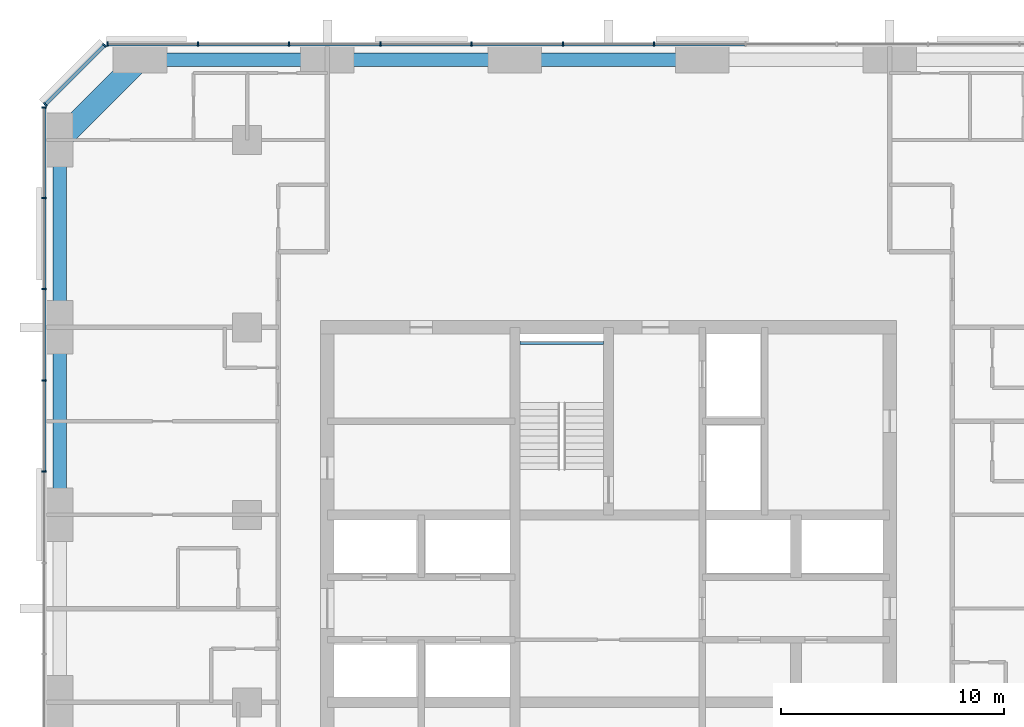
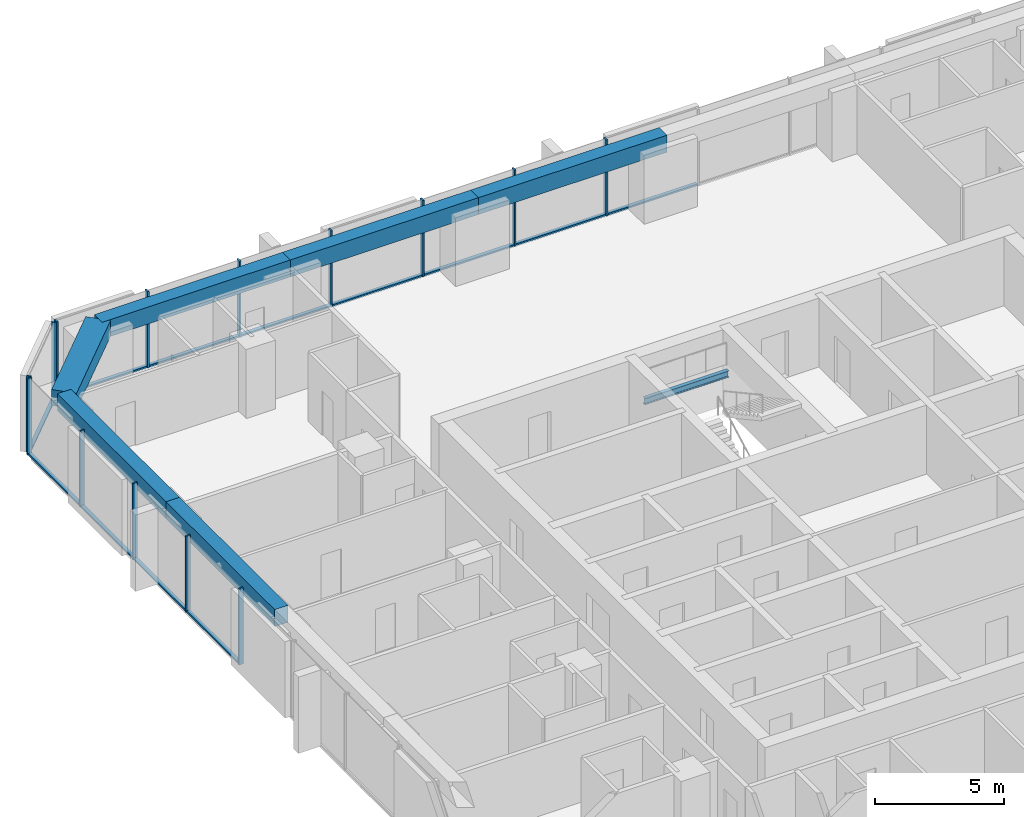
# One storey, part 5 of 13: 26 members, 7 beams, 3 elements without a shape of their own.
"""IFC4 building model written with IfcOpenShell, lengths in metres."""

from ifc_helpers import new_model, si_unit, direction, frame, origin, origin_2d, place, context, subcontext, project, spatial, rectangle, i_section, extrude, material, material_profile, profile_set, type_object, element, aggregate, save


model = new_model("IFC4")

# Units and contexts
model_context = context("Model", 3, precision=1e-05, world=origin(), true_north=direction((0.0, 1.0)))
body_context = subcontext(model_context, "Body", "Model", "MODEL_VIEW")
ifc_project = project(units=[si_unit("LENGTHUNIT", "METRE"), si_unit("AREAUNIT", "SQUARE_METRE"), si_unit("VOLUMEUNIT", "CUBIC_METRE"), si_unit("PLANEANGLEUNIT", "RADIAN"), si_unit("MASSUNIT", "GRAM", prefix="KILO")], contexts=[model_context])

# Site, building, storey
site_placement = place(None, origin())
site = spatial("IfcSite", under=ifc_project, at=site_placement, CompositionType="ELEMENT")
building_placement = place(site_placement, origin())
building = spatial("IfcBuilding", under=site, at=building_placement, Name="Dunama Terrace Hotel", CompositionType="ELEMENT")
storey_placement = place(building_placement, frame((0.0, 0.0, 205.800048828125)))
storey = spatial("IfcBuildingStorey", under=building, at=storey_placement, Name="L53", CompositionType="ELEMENT", Elevation=205.800048828125)

# Curtain wall, members
ifc_material_1 = material(Name="Aluminium curtain wall system", Category="aluminium")
curtain_wall_type = type_object("IfcCurtainWallType", Name="Unitised fritted glass wall CW-C", PredefinedType="NOTDEFINED", material=ifc_material_1)
curtain_wall_1_placement = place(storey_placement, origin())
curtain_wall_1 = element("IfcCurtainWall", 1, at=curtain_wall_1_placement, inside=storey, type_object=curtain_wall_type, Name="Unitised fritted glass wall CW-C L53", PredefinedType="NOTDEFINED")
ifc_material_2 = material(Name="Aluminium mullion", Category="aluminium")
ifc_material_profile_1 = material_profile(ifc_material_2, rectangle(XDim=0.070068359375, YDim=0.199951171875, at=origin_2d()), Name="CWC MULLION 70X200")
ifc_profile_set_1 = profile_set([ifc_material_profile_1], Name="Aluminium mullion")
member_type_1 = type_object("IfcMemberType", Name="CWC mullion 70x200", PredefinedType="MULLION", material=ifc_profile_set_1)
member_1_placement = place(storey_placement, frame((31.445068359375, 54.699951171875, 0.0), z_axis=(0.0, 0.0, 1.0), x_axis=(-1.0, 0.0, 0.0)))
member_1 = element("IfcMember", 2, at=member_1_placement, type_object=member_type_1, Name="CWC mullion", PredefinedType="MULLION", context=body_context, shape_type="SweptSolid", body=[
    extrude(rectangle(XDim=0.070068359375, YDim=0.199951171875, at=origin_2d()), origin(), (0.0, 0.0, 1.0), 3.599853515625),
])
member_2_placement = place(storey_placement, frame((27.35498046875, 54.699951171875, 0.0), z_axis=(0.0, 0.0, 1.0), x_axis=(-1.0, 0.0, 0.0)))
member_2 = element("IfcMember", 3, at=member_2_placement, type_object=member_type_1, Name="CWC mullion", PredefinedType="MULLION", context=body_context, shape_type="SweptSolid", body=[
    extrude(rectangle(XDim=0.070068359375, YDim=0.199951171875, at=origin_2d()), origin(), (0.0, 0.0, 1.0), 3.599853515625),
])
member_3_placement = place(storey_placement, frame((23.263916015625, 54.699951171875, 0.0), z_axis=(0.0, 0.0, 1.0), x_axis=(-1.0, 0.0, 0.0)))
member_3 = element("IfcMember", 4, at=member_3_placement, type_object=member_type_1, Name="CWC mullion", PredefinedType="MULLION", context=body_context, shape_type="SweptSolid", body=[
    extrude(rectangle(XDim=0.070068359375, YDim=0.199951171875, at=origin_2d()), origin(), (0.0, 0.0, 1.0), 3.599853515625),
])
member_4_placement = place(storey_placement, frame((19.173095703125, 54.699951171875, 0.0), z_axis=(0.0, 0.0, 1.0), x_axis=(-1.0, 0.0, 0.0)))
member_4 = element("IfcMember", 5, at=member_4_placement, type_object=member_type_1, Name="CWC mullion", PredefinedType="MULLION", context=body_context, shape_type="SweptSolid", body=[
    extrude(rectangle(XDim=0.070068359375, YDim=0.199951171875, at=origin_2d()), origin(), (0.0, 0.0, 1.0), 3.599853515625),
])
member_5_placement = place(storey_placement, frame((15.08203125, 54.699951171875, 0.0), z_axis=(0.0, 0.0, 1.0), x_axis=(-1.0, 0.0, 0.0)))
member_5 = element("IfcMember", 6, at=member_5_placement, type_object=member_type_1, Name="CWC mullion", PredefinedType="MULLION", context=body_context, shape_type="SweptSolid", body=[
    extrude(rectangle(XDim=0.070068359375, YDim=0.199951171875, at=origin_2d()), origin(), (0.0, 0.0, 1.0), 3.599853515625),
])
member_6_placement = place(storey_placement, frame((10.990966796875, 54.699951171875, 0.0), z_axis=(0.0, 0.0, 1.0), x_axis=(-1.0, 0.0, 0.0)))
member_6 = element("IfcMember", 7, at=member_6_placement, type_object=member_type_1, Name="CWC mullion", PredefinedType="MULLION", context=body_context, shape_type="SweptSolid", body=[
    extrude(rectangle(XDim=0.070068359375, YDim=0.199951171875, at=origin_2d()), origin(), (0.0, 0.0, 1.0), 3.599853515625),
])
member_7_placement = place(storey_placement, frame((6.93505859375, 54.699951171875, 0.0), z_axis=(0.0, 0.0, 1.0), x_axis=(-1.0, 0.0, 0.0)))
member_7 = element("IfcMember", 8, at=member_7_placement, type_object=member_type_1, Name="CWC mullion", PredefinedType="MULLION", context=body_context, shape_type="SweptSolid", body=[
    extrude(rectangle(XDim=0.070068359375, YDim=0.199951171875, at=origin_2d()), origin(), (0.0, 0.0, 1.0), 3.599853515625),
])

curtain_wall_2_placement = place(storey_placement, origin())
curtain_wall_2 = element("IfcCurtainWall", 9, at=curtain_wall_2_placement, inside=storey, type_object=curtain_wall_type, Name="Unitised fritted glass wall CW-C L53", PredefinedType="NOTDEFINED")
member_8_placement = place(storey_placement, frame((6.804931640625, 54.64599609375, 0.0), z_axis=(0.0, 0.0, 1.0), x_axis=(-0.707106781187, -0.707106781187, 0.0)))
member_8 = element("IfcMember", 10, at=member_8_placement, type_object=member_type_1, Name="CWC mullion", PredefinedType="MULLION", context=body_context, shape_type="SweptSolid", body=[
    extrude(rectangle(XDim=0.070068359375, YDim=0.199951171875, at=origin_2d()), origin(), (0.0, 0.0, 1.0), 3.599853515625),
])
member_9_placement = place(storey_placement, frame((4.154052734375, 51.9951171875, 0.0), z_axis=(0.0, 0.0, 1.0), x_axis=(-0.707106781187, -0.707106781187, 0.0)))
member_9 = element("IfcMember", 11, at=member_9_placement, type_object=member_type_1, Name="CWC mullion", PredefinedType="MULLION", context=body_context, shape_type="SweptSolid", body=[
    extrude(rectangle(XDim=0.070068359375, YDim=0.199951171875, at=origin_2d()), origin(), (0.0, 0.0, 1.0), 3.599853515625),
])

curtain_wall_3_placement = place(storey_placement, origin())
curtain_wall_3 = element("IfcCurtainWall", 12, at=curtain_wall_3_placement, inside=storey, type_object=curtain_wall_type, Name="Unitised fritted glass wall CW-C L53", PredefinedType="NOTDEFINED")
member_10_placement = place(storey_placement, frame((4.10009765625, 51.864990234375, 0.0), z_axis=(0.0, 0.0, 1.0), x_axis=(0.0, -1.0, 0.0)))
member_10 = element("IfcMember", 13, at=member_10_placement, type_object=member_type_1, Name="CWC mullion", PredefinedType="MULLION", context=body_context, shape_type="SweptSolid", body=[
    extrude(rectangle(XDim=0.070068359375, YDim=0.199951171875, at=origin_2d()), origin(), (0.0, 0.0, 1.0), 3.599853515625),
])
member_11_placement = place(storey_placement, frame((4.10009765625, 47.80908203125, 0.0), z_axis=(0.0, 0.0, 1.0), x_axis=(0.0, -1.0, 0.0)))
member_11 = element("IfcMember", 14, at=member_11_placement, type_object=member_type_1, Name="CWC mullion", PredefinedType="MULLION", context=body_context, shape_type="SweptSolid", body=[
    extrude(rectangle(XDim=0.070068359375, YDim=0.199951171875, at=origin_2d()), origin(), (0.0, 0.0, 1.0), 3.599853515625),
])
member_12_placement = place(storey_placement, frame((4.10009765625, 43.718017578125, 0.0), z_axis=(0.0, 0.0, 1.0), x_axis=(0.0, -1.0, 0.0)))
member_12 = element("IfcMember", 15, at=member_12_placement, type_object=member_type_1, Name="CWC mullion", PredefinedType="MULLION", context=body_context, shape_type="SweptSolid", body=[
    extrude(rectangle(XDim=0.070068359375, YDim=0.199951171875, at=origin_2d()), origin(), (0.0, 0.0, 1.0), 3.599853515625),
])
member_13_placement = place(storey_placement, frame((4.10009765625, 39.626953125, 0.0), z_axis=(0.0, 0.0, 1.0), x_axis=(0.0, -1.0, 0.0)))
member_13 = element("IfcMember", 16, at=member_13_placement, type_object=member_type_1, Name="CWC mullion", PredefinedType="MULLION", context=body_context, shape_type="SweptSolid", body=[
    extrude(rectangle(XDim=0.070068359375, YDim=0.199951171875, at=origin_2d()), origin(), (0.0, 0.0, 1.0), 3.599853515625),
])
member_14_placement = place(storey_placement, frame((4.10009765625, 35.535888671875, 0.0), z_axis=(0.0, 0.0, 1.0), x_axis=(0.0, -1.0, 0.0)))
member_14 = element("IfcMember", 17, at=member_14_placement, type_object=member_type_1, Name="CWC mullion", PredefinedType="MULLION", context=body_context, shape_type="SweptSolid", body=[
    extrude(rectangle(XDim=0.070068359375, YDim=0.199951171875, at=origin_2d()), origin(), (0.0, 0.0, 1.0), 3.599853515625),
])

# Member
ifc_material_3 = material(Name="Aluminium transom", Category="aluminium")
ifc_material_profile_2 = material_profile(ifc_material_3, rectangle(XDim=0.159912109375, YDim=0.080078125, at=origin_2d()), Name="CWC TRANSOM 160X80")
ifc_profile_set_2 = profile_set([ifc_material_profile_2], Name="Aluminium transom")
member_type_2 = type_object("IfcMemberType", Name="CWC transom 160x80", PredefinedType="USERDEFINED", material=ifc_profile_set_2)
member_15_placement = place(storey_placement, frame((35.5009765625, 54.699951171875, 0.0400390625), z_axis=(-1.0, 0.0, 0.0), x_axis=(0.0, -1.0, 0.0)))
member_15 = element("IfcMember", 18, at=member_15_placement, type_object=member_type_2, Name="CWC transom", ObjectType="TRANSOM", PredefinedType="USERDEFINED", context=body_context, shape_type="SweptSolid", body=[
    extrude(rectangle(XDim=0.159912109375, YDim=0.080078125, at=origin_2d()), origin(), (0.0, 0.0, 1.0), 4.02099609375),
])

member_16_placement = place(storey_placement, frame((31.409912109375, 54.699951171875, 0.0400390625), z_axis=(-1.0, 0.0, 0.0), x_axis=(0.0, -1.0, 0.0)))
member_16 = element("IfcMember", 19, at=member_16_placement, type_object=member_type_2, Name="CWC transom", ObjectType="TRANSOM", PredefinedType="USERDEFINED", context=body_context, shape_type="SweptSolid", body=[
    extrude(rectangle(XDim=0.159912109375, YDim=0.080078125, at=origin_2d()), origin(), (0.0, 0.0, 1.0), 4.02001953125),
])

member_17_placement = place(storey_placement, frame((27.320068359375, 54.699951171875, 0.0400390625), z_axis=(-1.0, 0.0, 0.0), x_axis=(0.0, -1.0, 0.0)))
member_17 = element("IfcMember", 20, at=member_17_placement, type_object=member_type_2, Name="CWC transom", ObjectType="TRANSOM", PredefinedType="USERDEFINED", context=body_context, shape_type="SweptSolid", body=[
    extrude(rectangle(XDim=0.159912109375, YDim=0.080078125, at=origin_2d()), origin(), (0.0, 0.0, 1.0), 4.02099609375),
])

member_18_placement = place(storey_placement, frame((23.22900390625, 54.699951171875, 0.0400390625), z_axis=(-1.0, 0.0, 0.0), x_axis=(0.0, -1.0, 0.0)))
member_18 = element("IfcMember", 21, at=member_18_placement, type_object=member_type_2, Name="CWC transom", ObjectType="TRANSOM", PredefinedType="USERDEFINED", context=body_context, shape_type="SweptSolid", body=[
    extrude(rectangle(XDim=0.159912109375, YDim=0.080078125, at=origin_2d()), origin(), (0.0, 0.0, 1.0), 4.02099609375),
])

member_19_placement = place(storey_placement, frame((19.137939453125, 54.699951171875, 0.0400390625), z_axis=(-1.0, 0.0, 0.0), x_axis=(0.0, -1.0, 0.0)))
member_19 = element("IfcMember", 22, at=member_19_placement, type_object=member_type_2, Name="CWC transom", ObjectType="TRANSOM", PredefinedType="USERDEFINED", context=body_context, shape_type="SweptSolid", body=[
    extrude(rectangle(XDim=0.159912109375, YDim=0.080078125, at=origin_2d()), origin(), (0.0, 0.0, 1.0), 4.02099609375),
])

member_20_placement = place(storey_placement, frame((15.047119140625, 54.699951171875, 0.0400390625), z_axis=(-1.0, 0.0, 0.0), x_axis=(0.0, -1.0, 0.0)))
member_20 = element("IfcMember", 23, at=member_20_placement, type_object=member_type_2, Name="CWC transom", ObjectType="TRANSOM", PredefinedType="USERDEFINED", context=body_context, shape_type="SweptSolid", body=[
    extrude(rectangle(XDim=0.159912109375, YDim=0.080078125, at=origin_2d()), origin(), (0.0, 0.0, 1.0), 4.021240234375),
])

member_21_placement = place(storey_placement, frame((10.9560546875, 54.699951171875, 0.0400390625), z_axis=(-1.0, 0.0, 0.0), x_axis=(0.0, -1.0, 0.0)))
member_21 = element("IfcMember", 24, at=member_21_placement, type_object=member_type_2, Name="CWC transom", ObjectType="TRANSOM", PredefinedType="USERDEFINED", context=body_context, shape_type="SweptSolid", body=[
    extrude(rectangle(XDim=0.159912109375, YDim=0.080078125, at=origin_2d()), origin(), (0.0, 0.0, 1.0), 3.986083984375),
])

aggregate(curtain_wall_1, [member_1, member_2, member_3, member_4, member_5, member_6, member_7, member_15, member_16, member_17, member_18, member_19, member_20, member_21])

member_22_placement = place(storey_placement, frame((6.780029296875, 54.62109375, 0.0400390625), z_axis=(-0.707106781187, -0.707106781187, 0.0), x_axis=(0.707106781187, -0.707106781187, 0.0)))
member_22 = element("IfcMember", 25, at=member_22_placement, type_object=member_type_2, Name="CWC transom", ObjectType="TRANSOM", PredefinedType="USERDEFINED", context=body_context, shape_type="SweptSolid", body=[
    extrude(rectangle(XDim=0.159912109375, YDim=0.080078125, at=origin_2d()), origin(), (0.0, 0.0, 1.0), 3.678466796875),
])

aggregate(curtain_wall_2, [member_8, member_9, member_22])

member_23_placement = place(storey_placement, frame((4.10009765625, 51.830078125, 0.0400390625), z_axis=(0.0, -1.0, 0.0), x_axis=(1.0, 0.0, 0.0)))
member_23 = element("IfcMember", 26, at=member_23_placement, type_object=member_type_2, Name="CWC transom", ObjectType="TRANSOM", PredefinedType="USERDEFINED", context=body_context, shape_type="SweptSolid", body=[
    extrude(rectangle(XDim=0.159912109375, YDim=0.080078125, at=origin_2d()), origin(), (0.0, 0.0, 1.0), 3.986083984375),
])

member_24_placement = place(storey_placement, frame((4.10009765625, 47.77392578125, 0.0400390625), z_axis=(0.0, -1.0, 0.0), x_axis=(1.0, 0.0, 0.0)))
member_24 = element("IfcMember", 27, at=member_24_placement, type_object=member_type_2, Name="CWC transom", ObjectType="TRANSOM", PredefinedType="USERDEFINED", context=body_context, shape_type="SweptSolid", body=[
    extrude(rectangle(XDim=0.159912109375, YDim=0.080078125, at=origin_2d()), origin(), (0.0, 0.0, 1.0), 4.02099609375),
])

member_25_placement = place(storey_placement, frame((4.10009765625, 43.68310546875, 0.0400390625), z_axis=(0.0, -1.0, 0.0), x_axis=(1.0, 0.0, 0.0)))
member_25 = element("IfcMember", 28, at=member_25_placement, type_object=member_type_2, Name="CWC transom", ObjectType="TRANSOM", PredefinedType="USERDEFINED", context=body_context, shape_type="SweptSolid", body=[
    extrude(rectangle(XDim=0.159912109375, YDim=0.080078125, at=origin_2d()), origin(), (0.0, 0.0, 1.0), 4.02099609375),
])

member_26_placement = place(storey_placement, frame((4.10009765625, 39.592041015625, 0.0400390625), z_axis=(0.0, -1.0, 0.0), x_axis=(1.0, 0.0, 0.0)))
member_26 = element("IfcMember", 29, at=member_26_placement, type_object=member_type_2, Name="CWC transom", ObjectType="TRANSOM", PredefinedType="USERDEFINED", context=body_context, shape_type="SweptSolid", body=[
    extrude(rectangle(XDim=0.159912109375, YDim=0.080078125, at=origin_2d()), origin(), (0.0, 0.0, 1.0), 4.02099609375),
])

aggregate(curtain_wall_3, [member_10, member_11, member_12, member_13, member_14, member_23, member_24, member_25, member_26])

# Beams
ifc_material_4 = material(Name="Concrete C50/60", Category="concrete")
ifc_material_profile_3 = material_profile(ifc_material_4, rectangle(XDim=1.0, YDim=0.75, at=origin_2d()), Name="RC 1000x750")
ifc_profile_set_3 = profile_set([ifc_material_profile_3], Name="Concrete C50/60")
beam_type_1 = type_object("IfcBeamType", Name="Edge beam RC 1000x750", PredefinedType="SPANDREL", material=ifc_profile_set_3)
beam_1_placement = place(storey_placement, frame((8.39990234375, 54.0, 3.224853515625), z_axis=(-0.707082803744, -0.707130757816, 0.0), x_axis=(0.707130757816, -0.707082803744, 0.0)))
element("IfcBeam", 30, at=beam_1_placement, inside=storey, type_object=beam_type_1, Name="Corner edge beam under L54", PredefinedType="SPANDREL", context=body_context, shape_type="SweptSolid", body=[
    extrude(rectangle(XDim=1.0, YDim=0.75, at=origin_2d()), origin(), (0.0, 0.0, 1.0), 5.091064453125),
])
ifc_material_5 = material(Name="Concrete C40/50", Category="concrete")
ifc_material_profile_4 = material_profile(ifc_material_5, rectangle(XDim=0.60009765625, YDim=0.800048828125, at=origin_2d()), Name="RC 600x800")
ifc_profile_set_4 = profile_set([ifc_material_profile_4], Name="Concrete C40/50")
beam_type_2 = type_object("IfcBeamType", Name="Edge beam RC 600x800", PredefinedType="SPANDREL", material=ifc_profile_set_4)
for number, where, z_axis, x_axis, name in (
    (31, (4.800048828125, 33.60009765625, 3.199951171875), (0.0, 1.0, 0.0), (-1.0, 0.0, 0.0), "Edge beam under L54"),
    (32, (4.800048828125, 42.0, 3.199951171875), (0.0, 1.0, 0.0), (-1.0, 0.0, 0.0), "Edge beam under L54"),
):
    element("IfcBeam", number, at=place(storey_placement, frame(where, z_axis=z_axis, x_axis=x_axis)), inside=storey, type_object=beam_type_2, Name=name, PredefinedType="SPANDREL", context=body_context, shape_type="SweptSolid", body=[
        extrude(rectangle(XDim=0.60009765625, YDim=0.800048828125, at=origin_2d()), origin(), (0.0, 0.0, 1.0), 8.39990234375),
    ])
beam_2_placement = place(storey_placement, frame((8.39990234375, 54.0, 3.199951171875), z_axis=(1.0, 0.0, 0.0), x_axis=(0.0, 1.0, 0.0)))
element("IfcBeam", 33, at=beam_2_placement, inside=storey, type_object=beam_type_2, Name="Edge beam under L54", PredefinedType="SPANDREL", context=body_context, shape_type="SweptSolid", body=[
    extrude(rectangle(XDim=0.60009765625, YDim=0.800048828125, at=origin_2d()), origin(), (0.0, 0.0, 1.0), 8.400146484375),
])
beam_3_placement = place(storey_placement, frame((16.800048828125, 54.0, 3.199951171875), z_axis=(1.0, 0.0, 0.0), x_axis=(0.0, 1.0, 0.0)))
element("IfcBeam", 34, at=beam_3_placement, inside=storey, type_object=beam_type_2, Name="Edge beam under L54", PredefinedType="SPANDREL", context=body_context, shape_type="SweptSolid", body=[
    extrude(rectangle(XDim=0.60009765625, YDim=0.800048828125, at=origin_2d()), origin(), (0.0, 0.0, 1.0), 8.39990234375),
])
beam_4_placement = place(storey_placement, frame((25.199951171875, 54.0, 3.199951171875), z_axis=(1.0, 0.0, 0.0), x_axis=(0.0, 1.0, 0.0)))
element("IfcBeam", 35, at=beam_4_placement, inside=storey, type_object=beam_type_2, Name="Edge beam under L54", PredefinedType="SPANDREL", context=body_context, shape_type="SweptSolid", body=[
    extrude(rectangle(XDim=0.60009765625, YDim=0.800048828125, at=origin_2d()), origin(), (0.0, 0.0, 1.0), 8.400146484375),
])
ifc_material_6 = material(Name="Steel S355", Category="steel")
ifc_material_profile_5 = material_profile(ifc_material_6, i_section(OverallWidth=0.1650390625, OverallDepth=0.303466796875, WebThickness=0.006103515625, FlangeThickness=0.01025390625, FilletRadius=0.0087890625, at=origin_2d()), Name="UB 305x165x40")
ifc_profile_set_5 = profile_set([ifc_material_profile_5], Name="Steel S355")
beam_type_3 = type_object("IfcBeamType", Name="Stair beam UB 305x165x40", PredefinedType="BEAM", material=ifc_profile_set_5)
beam_5_placement = place(storey_placement, frame((25.425048828125, 41.3173828125, 1.4482421875), z_axis=(1.0, 0.0, 0.0), x_axis=(0.0, 1.0, 0.0)))
element("IfcBeam", 36, at=beam_5_placement, inside=storey, type_object=beam_type_3, Name="Stair landing beam ST1 L53", PredefinedType="BEAM", context=body_context, shape_type="SweptSolid", body=[
    extrude(i_section(OverallWidth=0.1650390625, OverallDepth=0.303466796875, WebThickness=0.006103515625, FlangeThickness=0.01025390625, FilletRadius=0.0087890625, at=origin_2d()), origin(), (0.0, 0.0, 1.0), 3.75),
])

save(model, "model.ifc")
